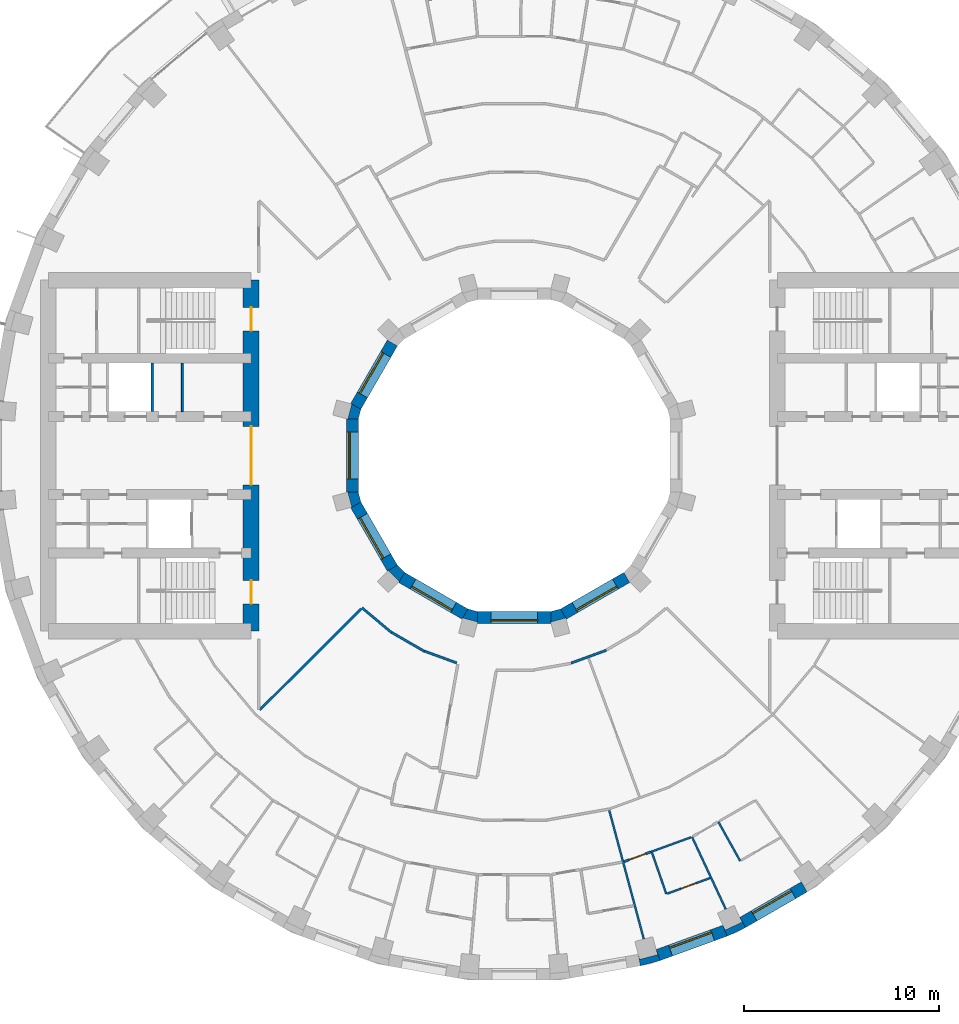
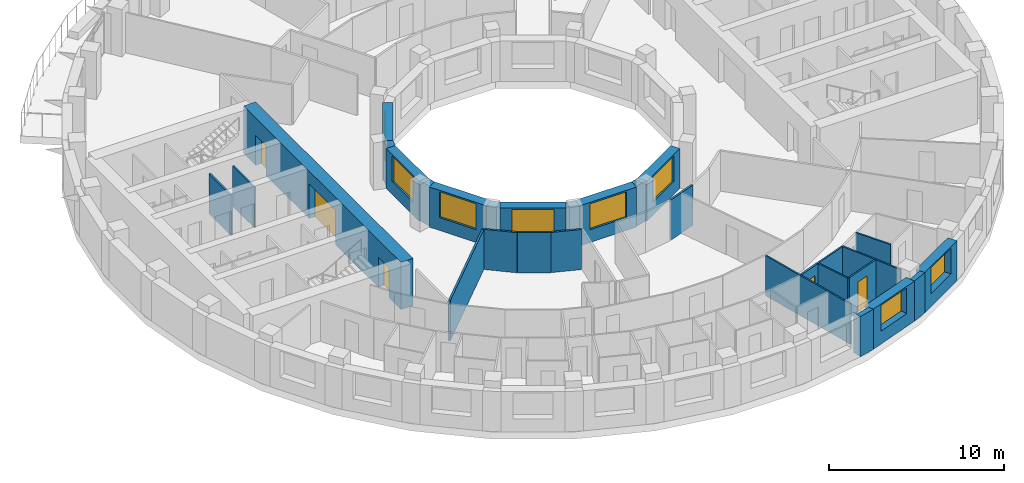
# One storey, part 7 of 14: 30 walls, 8 windows, 5 doors, 13 openings.
"""IFC4 building model written with IfcOpenShell, lengths in metres."""

import ifcopenshell
import ifcopenshell.guid

model = None  # the IFC model being written
_history = None  # IfcOwnerHistory: only IFC2X3 demands one
_inside = {}  # id of a spatial element -> (the spatial element, [elements in it])
_under = {}  # id of a project, library or spatial element -> (it, [spatial elements below it])
_declared = {}  # id of a project -> (the project, [libraries it declares])
_typed = {}  # id of a type object -> (the type object, [elements of that type])
_made_of = {}  # id of a material, layer set ... -> (it, [elements and type objects made of it])


def new_model(schema):
    """Start an empty IFC model of exactly this schema.

    Asked for "IFC4X3", IfcOpenShell would pick the latest addendum, in which some entities
    have other attributes; the version numbers below select the first issue.
    IFC2X3 requires an IfcOwnerHistory on every rooted entity: one is made here for all.
    """
    global model, _history
    if schema == "IFC4X3":
        model = ifcopenshell.file(schema_version=(4, 3, 0, 0))
    else:
        model = ifcopenshell.file(schema=schema)
    _inside.clear()
    _under.clear()
    _declared.clear()
    _typed.clear()
    _made_of.clear()
    _history = None
    if model.schema == "IFC2X3":
        org = make("IfcOrganization", Name="unknown")
        user = make(
            "IfcPersonAndOrganization",
            ThePerson=make("IfcPerson", FamilyName="unknown"),
            TheOrganization=org,
        )
        app = make(
            "IfcApplication",
            ApplicationDeveloper=org,
            Version="unknown",
            ApplicationFullName="unknown",
            ApplicationIdentifier="unknown",
        )
        _history = make(
            "IfcOwnerHistory",
            OwningUser=user,
            OwningApplication=app,
            ChangeAction="ADDED",
            CreationDate=0,
        )
    return model


def make(cls, **values):
    """One entity of the class cls with the attributes given. An attribute that is None is left unset."""
    return model.create_entity(
        cls, **{name: value for name, value in values.items() if value is not None}
    )


def rooted(cls, **values):
    """An entity with a GlobalId (a new one), such as an element, a storey or a relation."""
    return make(cls, GlobalId=ifcopenshell.guid.new(), OwnerHistory=_history, **values)


def si_unit(unit_type, name, prefix=None):
    """IfcSIUnit, for example si_unit("LENGTHUNIT", "METRE", prefix="MILLI")."""
    return make("IfcSIUnit", UnitType=unit_type, Prefix=prefix, Name=name)


def assignment(units):
    """IfcUnitAssignment: the units of a project."""
    return None if units is None else make("IfcUnitAssignment", Units=units)


def point(xyz):
    """IfcCartesianPoint."""
    return None if xyz is None else make("IfcCartesianPoint", Coordinates=xyz)


def direction(xyz):
    """IfcDirection."""
    return None if xyz is None else make("IfcDirection", DirectionRatios=xyz)


def frame(location, z_axis=None, x_axis=None):
    """IfcAxis2Placement3D, a coordinate frame: its origin and axes. An axis left out is left unset."""
    return make(
        "IfcAxis2Placement3D",
        Location=point(location),
        Axis=direction(z_axis),
        RefDirection=direction(x_axis),
    )


def frame_2d(location, x_axis=None):
    """IfcAxis2Placement2D, a coordinate frame in the plane: its origin and x axis."""
    return make(
        "IfcAxis2Placement2D", Location=point(location), RefDirection=direction(x_axis)
    )


def origin():
    """The frame at (0, 0, 0) with its axes left unset."""
    return frame((0.0, 0.0, 0.0))


def place(relative_to, where):
    """IfcLocalPlacement: puts the frame where relative to a parent placement (None: the world)."""
    return make(
        "IfcLocalPlacement", PlacementRelTo=relative_to, RelativePlacement=where
    )


def context(
    kind, dimensions, precision=None, world=None, true_north=None, identifier=None
):
    """IfcGeometricRepresentationContext, for example the 3D "Model" context."""
    return make(
        "IfcGeometricRepresentationContext",
        ContextIdentifier=identifier,
        ContextType=kind,
        CoordinateSpaceDimension=dimensions,
        Precision=precision,
        WorldCoordinateSystem=world,
        TrueNorth=true_north,
    )


def subcontext(parent, identifier, kind, view, scale=None):
    """IfcGeometricRepresentationSubContext, for example "Body" below "Model"."""
    return make(
        "IfcGeometricRepresentationSubContext",
        ContextIdentifier=identifier,
        ContextType=kind,
        ParentContext=parent,
        TargetScale=scale,
        TargetView=view,
    )


def project(units=None, contexts=None):
    """IfcProject with its units and contexts."""
    return rooted(
        "IfcProject",
        Name="project",
        RepresentationContexts=contexts,
        UnitsInContext=assignment(units),
    )


def spatial(cls, under=None, at=None, **own):
    """A site, building, storey or space (cls), placed at a placement, below another one or the project."""
    s = rooted(cls, ObjectPlacement=at, **own)
    if under is not None:
        _under.setdefault(under.id(), (under, []))[1].append(s)
    return s


def polyline(points):
    """IfcPolyline through the points."""
    return make("IfcPolyline", Points=[point(p) for p in points])


def profile(cls, at=None, kind="AREA", **sizes):
    """A parametric profile (cls). Its sizes go by their IFC names, for example OverallWidth=200.0."""
    return make(cls, ProfileType=kind, Position=at, **sizes)


def rectangle(**sizes):
    """IfcRectangleProfileDef."""
    return profile("IfcRectangleProfileDef", **sizes)


def outline(outer, holes=None, kind="AREA"):
    """IfcArbitraryClosedProfileDef: a profile drawn as a closed curve; with holes, ...WithVoids."""
    if holes is None:
        return make("IfcArbitraryClosedProfileDef", ProfileType=kind, OuterCurve=outer)
    return make(
        "IfcArbitraryProfileDefWithVoids",
        ProfileType=kind,
        OuterCurve=outer,
        InnerCurves=holes,
    )


def extrude(swept, where, along, depth):
    """IfcExtrudedAreaSolid: the profile swept, set in the frame where, extruded along a direction by depth."""
    return make(
        "IfcExtrudedAreaSolid",
        SweptArea=swept,
        Position=where,
        ExtrudedDirection=direction(along),
        Depth=depth,
    )


def shape(context_of_items, identifier, shape_type, items):
    """IfcShapeRepresentation: the items that make up one representation, for example the "Body"."""
    return make(
        "IfcShapeRepresentation",
        ContextOfItems=context_of_items,
        RepresentationIdentifier=identifier,
        RepresentationType=shape_type,
        Items=items,
    )


def material(Name=None, Category=None):
    """IfcMaterial."""
    return make("IfcMaterial", Name=Name, Category=Category)


def layer(
    of_material, thickness, ventilated=None, Name=None, Category=None, Priority=None
):
    """IfcMaterialLayer: one layer of a wall or slab, of a material (None: an air gap)."""
    return make(
        "IfcMaterialLayer",
        Material=of_material,
        LayerThickness=thickness,
        IsVentilated=ventilated,
        Name=Name,
        Category=Category,
        Priority=Priority,
    )


def layer_set(layers, Name=None):
    """IfcMaterialLayerSet."""
    return make("IfcMaterialLayerSet", MaterialLayers=layers, LayerSetName=Name)


def made_of(thing, what):
    """Note that an element or type object is made of a material, layer set ...; save() writes the relation."""
    if what is not None:
        _made_of.setdefault(what.id(), (what, []))[1].append(thing)
    return thing


def type_object(cls, material=None, **own):
    """A type object (cls), such as IfcWallType, which elements share."""
    return made_of(rooted(cls, **own), material)


def element(
    cls,
    number,
    at=None,
    inside=None,
    cuts=None,
    type_object=None,
    material=None,
    context=None,
    identifier="Body",
    shape_type=None,
    held_by="IfcProductDefinitionShape",
    body=None,
    shapes=None,
    **own,
):
    """One element of the class cls, such as IfcWall. Its Tag is "e" and its number.

    at: its placement. inside: the storey or other place that contains it. cuts: it is an
    opening in that element (IfcRelVoidsElement). A single representation is given by context,
    identifier, shape_type and body (its items); several are given by shapes. held_by: the class
    of the entity that holds the representations. save() writes the other relations.
    """
    e = rooted(cls, Tag="e%d" % number, ObjectPlacement=at, **own)
    if body is not None:
        shapes = [shape(context, identifier, shape_type, body)]
    if shapes is not None:
        e.Representation = make(held_by, Representations=shapes)
    if inside is not None:
        _inside.setdefault(inside.id(), (inside, []))[1].append(e)
    if cuts is not None:
        rooted(
            "IfcRelVoidsElement", RelatingBuildingElement=cuts, RelatedOpeningElement=e
        )
    if type_object is not None:
        _typed.setdefault(type_object.id(), (type_object, []))[1].append(e)
    return made_of(e, material)


def fill(opening, filler):
    """IfcRelFillsElement: the door or window that sits in an opening."""
    return rooted(
        "IfcRelFillsElement",
        RelatingOpeningElement=opening,
        RelatedBuildingElement=filler,
    )


def aggregate(whole, parts):
    """IfcRelAggregates: a whole, such as a stair, and the parts it consists of."""
    return rooted("IfcRelAggregates", RelatingObject=whole, RelatedObjects=parts)


def save(model, path):
    """Write the relations noted so far, then the file.

    IfcRelAggregates (storeys below a building ...), IfcRelContainedInSpatialStructure (elements
    in a storey), IfcRelDefinesByType, IfcRelAssociatesMaterial and IfcRelDeclares: one each for
    every whole, place, type object, material and project.
    """
    for whole, parts in _under.values():
        aggregate(whole, parts)
    for where, things in _inside.values():
        rooted(
            "IfcRelContainedInSpatialStructure",
            RelatedElements=things,
            RelatingStructure=where,
        )
    for kind, things in _typed.values():
        rooted("IfcRelDefinesByType", RelatedObjects=things, RelatingType=kind)
    for what, things in _made_of.values():
        rooted("IfcRelAssociatesMaterial", RelatedObjects=things, RelatingMaterial=what)
    for by, libraries in _declared.values():
        rooted("IfcRelDeclares", RelatingContext=by, RelatedDefinitions=libraries)
    model.write(path)


model = new_model("IFC4")

# Units and contexts
model_context = context("Model", 3, precision=1e-05, world=origin(), true_north=direction((0.0, 1.0)))
body_context = subcontext(model_context, "Body", "Model", "MODEL_VIEW")
ifc_project = project(units=[si_unit("LENGTHUNIT", "METRE"), si_unit("AREAUNIT", "SQUARE_METRE"), si_unit("VOLUMEUNIT", "CUBIC_METRE"), si_unit("PLANEANGLEUNIT", "RADIAN"), si_unit("MASSUNIT", "GRAM", prefix="KILO")], contexts=[model_context])

# Site, building, storey
site_placement = place(None, origin())
site = spatial("IfcSite", under=ifc_project, at=site_placement, CompositionType="ELEMENT")
building_placement = place(site_placement, origin())
building = spatial("IfcBuilding", under=site, at=building_placement, Name="Saqina Gate Tower", CompositionType="ELEMENT")
storey_placement = place(building_placement, frame((0.0, 0.0, 98.5)))
storey = spatial("IfcBuildingStorey", under=building, at=storey_placement, Name="L27", CompositionType="ELEMENT", Elevation=98.5)

# Walls
ifc_material_1 = material(Name="Brick masonry (buff)", Category="masonry")
wall_type_1 = type_object("IfcWallType", Name="BRICK PIER COPING BUFF", PredefinedType="SOLIDWALL", material=ifc_material_1)
wall_1_placement = place(storey_placement, origin())
element("IfcWall", 1, at=wall_1_placement, inside=storey, type_object=wall_type_1, Name="Pier cap L27 column 29", PredefinedType="SOLIDWALL", context=body_context, shape_type="SweptSolid", body=[
    extrude(outline(polyline([(6.466796875, -26.171875), (7.485595703125, -25.89892578125), (7.2802734375, -25.335205078125), (7.349853515625, -25.5947265625), (6.43212890625, -25.8408203125), (6.36279296875, -25.5810546875), (6.466796875, -26.171875)])), origin(), (0.0, 0.0, 1.0), 2.800048828125),
])
wall_2_placement = place(storey_placement, origin())
element("IfcWall", 2, at=wall_2_placement, inside=storey, type_object=wall_type_1, Name="Pier cap L27 column 30", PredefinedType="SOLIDWALL", context=body_context, shape_type="SweptSolid", body=[
    extrude(outline(polyline([(10.913330078125, -24.6513671875), (11.869140625, -24.205810546875), (11.569091796875, -23.68603515625), (11.6826171875, -23.9296875), (10.82177734375, -24.331298828125), (10.7080078125, -24.08740234375), (10.913330078125, -24.6513671875)])), origin(), (0.0, 0.0, 1.0), 2.800048828125),
])
ifc_material_2 = material(Name="Gypsum board on steel studs", Category="steel")
ifc_layer_1 = layer(ifc_material_2, 0.10009765625)
ifc_layer_set_1 = layer_set([ifc_layer_1], Name="CORE PARTITION")
wall_type_2 = type_object("IfcWallType", Name="CORE PARTITION", PredefinedType="PARTITIONING", material=ifc_layer_set_1)
wall_3_placement = place(storey_placement, frame((-17.022216796875, 2.25, 0.0), z_axis=(0.0, 0.0, 1.0), x_axis=(0.0, 1.0, 0.0)))
element("IfcWall", 3, at=wall_3_placement, inside=storey, type_object=wall_type_2, Name="L27-CP-W01", PredefinedType="PARTITIONING", context=body_context, shape_type="SweptSolid", body=[
    extrude(rectangle(XDim=2.5, YDim=0.10009765625, at=frame_2d((1.25, 0.0))), origin(), (0.0, 0.0, 1.0), 2.800048828125),
])

# Wall, opening, window
ifc_material_3 = material(Name="Brick masonry (buff)", Category="masonry")
ifc_layer_2 = layer(ifc_material_3, 0.60009765625)
ifc_layer_set_2 = layer_set([ifc_layer_2], Name="FW-BRICK-BUFF")
wall_type_3 = type_object("IfcWallType", Name="FW-BRICK-BUFF", PredefinedType="SOLIDWALL", material=ifc_layer_set_2)
wall_4_placement = place(storey_placement, frame((7.3828125, -25.616943359375, 0.0), z_axis=(0.0, 0.0, 1.0), x_axis=(0.939703505393, 0.341990236633, 0.0)))
wall_4 = element("IfcWall", 4, at=wall_4_placement, inside=storey, type_object=wall_type_3, Name="Facade wall L27 facet 29", PredefinedType="SOLIDWALL", context=body_context, shape_type="SweptSolid", body=[
    extrude(rectangle(XDim=3.64794921875, YDim=0.60009765625, at=frame_2d((1.823974609375, 0.0))), origin(), (0.0, 0.0, 1.0), 2.800048828125),
])
opening_1_placement = place(wall_4_placement, frame((0.673828125, 0.0, 0.89990234375)))
opening_1 = element("IfcOpeningElement", 5, at=opening_1_placement, cuts=wall_4, Name="Opening G07-W18", PredefinedType="OPENING", context=body_context, shape_type="SweptSolid", body=[
    extrude(rectangle(XDim=2.300048828125, YDim=1.800048828125, at=frame_2d((1.14990234375, 0.89990234375))), frame((0.0, 0.31201171875, 0.0), z_axis=(0.0, -1.0, 0.0), x_axis=(1.0, 0.0, 0.0)), (0.0, 0.0, 1.0), 0.6240234375),
])
ifc_material_4 = material(Name="Aluminium glazing", Category="aluminium")
window_type_1 = type_object("IfcWindowType", Name="WN-B", PartitioningType="SINGLE_PANEL", PredefinedType="WINDOW", material=ifc_material_4)
window_1_placement = place(opening_1_placement, origin())
window_1 = element("IfcWindow", 6, at=window_1_placement, inside=storey, type_object=window_type_1, Name="Window L27 facet 29", OverallHeight=1.800048828125, OverallWidth=2.300048828125, PartitioningType="SINGLE_PANEL", PredefinedType="WINDOW", context=body_context, shape_type="SweptSolid", body=[
    extrude(rectangle(XDim=2.300048828125, YDim=1.800048828125, at=frame_2d((1.14990234375, 0.89990234375))), frame((0.0, 0.179931640625, 0.0), z_axis=(0.0, -1.0, 0.0), x_axis=(1.0, 0.0, 0.0)), (0.0, 0.0, 1.0), 0.06005859375),
])
fill(opening_1, window_1)

wall_5_placement = place(storey_placement, frame((11.718994140625, -23.94580078125, 0.0), z_axis=(0.0, 0.0, 1.0), x_axis=(0.866051847062, 0.499954196102, 0.0)))
wall_5 = element("IfcWall", 7, at=wall_5_placement, inside=storey, type_object=wall_type_3, Name="Facade wall L27 facet 30", PredefinedType="SOLIDWALL", context=body_context, shape_type="SweptSolid", body=[
    extrude(rectangle(XDim=3.647705078125, YDim=0.60009765625, at=frame_2d((1.82373046875, 0.0))), origin(), (0.0, 0.0, 1.0), 2.800048828125),
])
opening_2_placement = place(wall_5_placement, frame((0.673828125, 0.0, 0.89990234375)))
opening_2 = element("IfcOpeningElement", 8, at=opening_2_placement, cuts=wall_5, Name="Opening G07-W19", PredefinedType="OPENING", context=body_context, shape_type="SweptSolid", body=[
    extrude(rectangle(XDim=2.300048828125, YDim=1.800048828125, at=frame_2d((1.14990234375, 0.89990234375))), frame((0.0, 0.31201171875, 0.0), z_axis=(0.0, -1.0, 0.0), x_axis=(1.0, 0.0, 0.0)), (0.0, 0.0, 1.0), 0.6240234375),
])
window_2_placement = place(opening_2_placement, origin())
window_2 = element("IfcWindow", 9, at=window_2_placement, inside=storey, type_object=window_type_1, Name="Window L27 facet 30", OverallHeight=1.800048828125, OverallWidth=2.300048828125, PartitioningType="SINGLE_PANEL", PredefinedType="WINDOW", context=body_context, shape_type="SweptSolid", body=[
    extrude(rectangle(XDim=2.300048828125, YDim=1.800048828125, at=frame_2d((1.14990234375, 0.89990234375))), frame((0.0, 0.179931640625, 0.0), z_axis=(0.0, -1.0, 0.0), x_axis=(1.0, 0.0, 0.0)), (0.0, 0.0, 1.0), 0.06005859375),
])
fill(opening_2, window_2)

ifc_material_5 = material(Name="Glazed ceramic tile", Category="ceramic")
ifc_layer_3 = layer(ifc_material_5, 0.60009765625)
ifc_layer_set_3 = layer_set([ifc_layer_3], Name="IW-TILE")
wall_type_4 = type_object("IfcWallType", Name="IW-TILE", PredefinedType="SOLIDWALL", material=ifc_layer_set_3)
wall_6_placement = place(storey_placement, frame((-6.251220703125, 5.772705078125, 0.0), z_axis=(0.0, 0.0, 1.0), x_axis=(-0.499964958637, -0.86604563398, 0.0)))
wall_6 = element("IfcWall", 10, at=wall_6_placement, inside=storey, type_object=wall_type_4, Name="Well wall L27 facet 5", PredefinedType="SOLIDWALL", context=body_context, shape_type="SweptSolid", body=[
    extrude(rectangle(XDim=3.747314453125, YDim=0.60009765625, at=frame_2d((1.87353515625, 0.0))), origin(), (0.0, 0.0, 1.0), 2.800048828125),
])
opening_3_placement = place(wall_6_placement, frame((0.673583984375, 0.0, 0.89990234375)))
opening_3 = element("IfcOpeningElement", 11, at=opening_3_placement, cuts=wall_6, Name="Opening G07-W27", PredefinedType="OPENING", context=body_context, shape_type="SweptSolid", body=[
    extrude(rectangle(XDim=2.39990234375, YDim=1.800048828125, at=frame_2d((1.199951171875, 0.89990234375))), frame((0.0, 0.31201171875, 0.0), z_axis=(0.0, -1.0, 0.0), x_axis=(1.0, 0.0, 0.0)), (0.0, 0.0, 1.0), 0.6240234375),
])
ifc_material_6 = material(Name="Aluminium glazing", Category="aluminium")
window_type_2 = type_object("IfcWindowType", Name="WN-W", PartitioningType="SINGLE_PANEL", PredefinedType="WINDOW", material=ifc_material_6)
window_3_placement = place(opening_3_placement, origin())
window_3 = element("IfcWindow", 12, at=window_3_placement, inside=storey, type_object=window_type_2, Name="Well window L27 facet 5", OverallHeight=1.800048828125, OverallWidth=2.39990234375, PartitioningType="SINGLE_PANEL", PredefinedType="WINDOW", context=body_context, shape_type="SweptSolid", body=[
    extrude(rectangle(XDim=2.39990234375, YDim=1.800048828125, at=frame_2d((1.199951171875, 0.89990234375))), frame((0.0, -0.119873046875, 0.0), z_axis=(0.0, -1.0, 0.0), x_axis=(1.0, 0.0, 0.0)), (0.0, 0.0, 1.0), 0.06005859375),
])
fill(opening_3, window_3)

wall_7_placement = place(storey_placement, frame((-8.300048828125, 1.873779296875, 0.0), z_axis=(0.0, 0.0, 1.0), x_axis=(0.0, -1.0, 0.0)))
wall_7 = element("IfcWall", 13, at=wall_7_placement, inside=storey, type_object=wall_type_4, Name="Well wall L27 facet 6", PredefinedType="SOLIDWALL", context=body_context, shape_type="SweptSolid", body=[
    extrude(rectangle(XDim=3.74755859375, YDim=0.60009765625, at=frame_2d((1.873779296875, 0.0))), origin(), (0.0, 0.0, 1.0), 2.800048828125),
])
opening_4_placement = place(wall_7_placement, frame((0.673583984375, 0.0, 0.89990234375)))
opening_4 = element("IfcOpeningElement", 14, at=opening_4_placement, cuts=wall_7, Name="Opening G07-W28", PredefinedType="OPENING", context=body_context, shape_type="SweptSolid", body=[
    extrude(rectangle(XDim=2.39990234375, YDim=1.800048828125, at=frame_2d((1.199951171875, 0.89990234375))), frame((0.0, 0.31201171875, 0.0), z_axis=(0.0, -1.0, 0.0), x_axis=(1.0, 0.0, 0.0)), (0.0, 0.0, 1.0), 0.6240234375),
])
window_4_placement = place(opening_4_placement, origin())
window_4 = element("IfcWindow", 15, at=window_4_placement, inside=storey, type_object=window_type_2, Name="Well window L27 facet 6", OverallHeight=1.800048828125, OverallWidth=2.39990234375, PartitioningType="SINGLE_PANEL", PredefinedType="WINDOW", context=body_context, shape_type="SweptSolid", body=[
    extrude(rectangle(XDim=2.39990234375, YDim=1.800048828125, at=frame_2d((1.199951171875, 0.89990234375))), frame((0.0, -0.119873046875, 0.0), z_axis=(0.0, -1.0, 0.0), x_axis=(1.0, 0.0, 0.0)), (0.0, 0.0, 1.0), 0.06005859375),
])
fill(opening_4, window_4)

wall_8_placement = place(storey_placement, frame((-8.124755859375, -2.52734375, 0.0), z_axis=(0.0, 0.0, 1.0), x_axis=(0.499964958637, -0.86604563398, 0.0)))
wall_8 = element("IfcWall", 16, at=wall_8_placement, inside=storey, type_object=wall_type_4, Name="Well wall L27 facet 7", PredefinedType="SOLIDWALL", context=body_context, shape_type="SweptSolid", body=[
    extrude(rectangle(XDim=3.747314453125, YDim=0.60009765625, at=frame_2d((1.87353515625, 0.0))), origin(), (0.0, 0.0, 1.0), 2.800048828125),
])
opening_5_placement = place(wall_8_placement, frame((0.673583984375, 0.0, 0.89990234375)))
opening_5 = element("IfcOpeningElement", 17, at=opening_5_placement, cuts=wall_8, Name="Opening G07-W29", PredefinedType="OPENING", context=body_context, shape_type="SweptSolid", body=[
    extrude(rectangle(XDim=2.39990234375, YDim=1.800048828125, at=frame_2d((1.199951171875, 0.89990234375))), frame((0.0, 0.31201171875, 0.0), z_axis=(0.0, -1.0, 0.0), x_axis=(1.0, 0.0, 0.0)), (0.0, 0.0, 1.0), 0.6240234375),
])
window_5_placement = place(opening_5_placement, origin())
window_5 = element("IfcWindow", 18, at=window_5_placement, inside=storey, type_object=window_type_2, Name="Well window L27 facet 7", OverallHeight=1.800048828125, OverallWidth=2.39990234375, PartitioningType="SINGLE_PANEL", PredefinedType="WINDOW", context=body_context, shape_type="SweptSolid", body=[
    extrude(rectangle(XDim=2.39990234375, YDim=1.800048828125, at=frame_2d((1.199951171875, 0.89990234375))), frame((0.0, -0.119873046875, 0.0), z_axis=(0.0, -1.0, 0.0), x_axis=(1.0, 0.0, 0.0)), (0.0, 0.0, 1.0), 0.06005859375),
])
fill(opening_5, window_5)

wall_9_placement = place(storey_placement, frame((-5.772705078125, -6.251220703125, 0.0), z_axis=(0.0, 0.0, 1.0), x_axis=(0.86604563398, -0.499964958637, 0.0)))
wall_9 = element("IfcWall", 19, at=wall_9_placement, inside=storey, type_object=wall_type_4, Name="Well wall L27 facet 8", PredefinedType="SOLIDWALL", context=body_context, shape_type="SweptSolid", body=[
    extrude(rectangle(XDim=3.747314453125, YDim=0.60009765625, at=frame_2d((1.87353515625, 0.0))), origin(), (0.0, 0.0, 1.0), 2.800048828125),
])
opening_6_placement = place(wall_9_placement, frame((0.673583984375, 0.0, 0.89990234375)))
opening_6 = element("IfcOpeningElement", 20, at=opening_6_placement, cuts=wall_9, Name="Opening G07-W30", PredefinedType="OPENING", context=body_context, shape_type="SweptSolid", body=[
    extrude(rectangle(XDim=2.39990234375, YDim=1.800048828125, at=frame_2d((1.199951171875, 0.89990234375))), frame((0.0, 0.31201171875, 0.0), z_axis=(0.0, -1.0, 0.0), x_axis=(1.0, 0.0, 0.0)), (0.0, 0.0, 1.0), 0.6240234375),
])
window_6_placement = place(opening_6_placement, origin())
window_6 = element("IfcWindow", 21, at=window_6_placement, inside=storey, type_object=window_type_2, Name="Well window L27 facet 8", OverallHeight=1.800048828125, OverallWidth=2.39990234375, PartitioningType="SINGLE_PANEL", PredefinedType="WINDOW", context=body_context, shape_type="SweptSolid", body=[
    extrude(rectangle(XDim=2.39990234375, YDim=1.800048828125, at=frame_2d((1.199951171875, 0.89990234375))), frame((0.0, -0.119873046875, 0.0), z_axis=(0.0, -1.0, 0.0), x_axis=(1.0, 0.0, 0.0)), (0.0, 0.0, 1.0), 0.06005859375),
])
fill(opening_6, window_6)

wall_10_placement = place(storey_placement, frame((-1.873779296875, -8.300048828125, 0.0), z_axis=(0.0, 0.0, 1.0), x_axis=(1.0, 0.0, 0.0)))
wall_10 = element("IfcWall", 22, at=wall_10_placement, inside=storey, type_object=wall_type_4, Name="Well wall L27 facet 9", PredefinedType="SOLIDWALL", context=body_context, shape_type="SweptSolid", body=[
    extrude(rectangle(XDim=3.74755859375, YDim=0.60009765625, at=frame_2d((1.873779296875, 0.0))), origin(), (0.0, 0.0, 1.0), 2.800048828125),
])
opening_7_placement = place(wall_10_placement, frame((0.673583984375, 0.0, 0.89990234375)))
opening_7 = element("IfcOpeningElement", 23, at=opening_7_placement, cuts=wall_10, Name="Opening G07-W31", PredefinedType="OPENING", context=body_context, shape_type="SweptSolid", body=[
    extrude(rectangle(XDim=2.39990234375, YDim=1.800048828125, at=frame_2d((1.199951171875, 0.89990234375))), frame((0.0, 0.31201171875, 0.0), z_axis=(0.0, -1.0, 0.0), x_axis=(1.0, 0.0, 0.0)), (0.0, 0.0, 1.0), 0.6240234375),
])
window_7_placement = place(opening_7_placement, origin())
window_7 = element("IfcWindow", 24, at=window_7_placement, inside=storey, type_object=window_type_2, Name="Well window L27 facet 9", OverallHeight=1.800048828125, OverallWidth=2.39990234375, PartitioningType="SINGLE_PANEL", PredefinedType="WINDOW", context=body_context, shape_type="SweptSolid", body=[
    extrude(rectangle(XDim=2.39990234375, YDim=1.800048828125, at=frame_2d((1.199951171875, 0.89990234375))), frame((0.0, -0.119873046875, 0.0), z_axis=(0.0, -1.0, 0.0), x_axis=(1.0, 0.0, 0.0)), (0.0, 0.0, 1.0), 0.06005859375),
])
fill(opening_7, window_7)

wall_11_placement = place(storey_placement, frame((2.52734375, -8.124755859375, 0.0), z_axis=(0.0, 0.0, 1.0), x_axis=(0.86604563398, 0.499964958637, 0.0)))
wall_11 = element("IfcWall", 25, at=wall_11_placement, inside=storey, type_object=wall_type_4, Name="Well wall L27 facet 10", PredefinedType="SOLIDWALL", context=body_context, shape_type="SweptSolid", body=[
    extrude(rectangle(XDim=3.747314453125, YDim=0.60009765625, at=frame_2d((1.87353515625, 0.0))), origin(), (0.0, 0.0, 1.0), 2.800048828125),
])
opening_8_placement = place(wall_11_placement, frame((0.673583984375, 0.0, 0.89990234375)))
opening_8 = element("IfcOpeningElement", 26, at=opening_8_placement, cuts=wall_11, Name="Opening G07-W32", PredefinedType="OPENING", context=body_context, shape_type="SweptSolid", body=[
    extrude(rectangle(XDim=2.39990234375, YDim=1.800048828125, at=frame_2d((1.199951171875, 0.89990234375))), frame((0.0, 0.31201171875, 0.0), z_axis=(0.0, -1.0, 0.0), x_axis=(1.0, 0.0, 0.0)), (0.0, 0.0, 1.0), 0.6240234375),
])
window_8_placement = place(opening_8_placement, origin())
window_8 = element("IfcWindow", 27, at=window_8_placement, inside=storey, type_object=window_type_2, Name="Well window L27 facet 10", OverallHeight=1.800048828125, OverallWidth=2.39990234375, PartitioningType="SINGLE_PANEL", PredefinedType="WINDOW", context=body_context, shape_type="SweptSolid", body=[
    extrude(rectangle(XDim=2.39990234375, YDim=1.800048828125, at=frame_2d((1.199951171875, 0.89990234375))), frame((0.0, -0.119873046875, 0.0), z_axis=(0.0, -1.0, 0.0), x_axis=(1.0, 0.0, 0.0)), (0.0, 0.0, 1.0), 0.06005859375),
])
fill(opening_8, window_8)

# Walls
ifc_material_7 = material(Name="Gypsum board on steel studs, 100 mm", Category="steel")
ifc_layer_4 = layer(ifc_material_7, 0.10009765625)
ifc_layer_set_4 = layer_set([ifc_layer_4], Name="PARTITION 100")
wall_type_5 = type_object("IfcWallType", Name="PARTITION 100", PredefinedType="PARTITIONING", material=ifc_layer_set_4)
wall_12_placement = place(storey_placement, frame((4.869873046875, -18.179443359375, 0.0), z_axis=(0.0, 0.0, 1.0), x_axis=(0.259209722025, -0.965821060035, 0.0)))
element("IfcWall", 28, at=wall_12_placement, inside=storey, type_object=wall_type_5, Name="PARTITION PW3-05", PredefinedType="PARTITIONING", context=body_context, shape_type="SweptSolid", body=[
    extrude(rectangle(XDim=6.844482421875, YDim=0.10009765625, at=frame_2d((3.42236328125, 0.0))), origin(), (0.0, 0.0, 1.0), 2.800048828125),
])
wall_13_placement = place(storey_placement, frame((7.064453125, -20.359130859375, 0.0), z_axis=(0.0, 0.0, 1.0), x_axis=(0.327758868129, -0.944761411343, 0.0)))
element("IfcWall", 29, at=wall_13_placement, inside=storey, type_object=wall_type_5, Name="PARTITION PW3-06", PredefinedType="PARTITIONING", context=body_context, shape_type="SweptSolid", body=[
    extrude(rectangle(XDim=2.250244140625, YDim=0.10009765625, at=frame_2d((1.125, 0.0))), origin(), (0.0, 0.0, 1.0), 2.800048828125),
])
wall_14_placement = place(storey_placement, frame((9.1201171875, -19.55810546875, 0.0), z_axis=(0.0, 0.0, 1.0), x_axis=(0.422882193637, -0.906184666778, 0.0)))
element("IfcWall", 30, at=wall_14_placement, inside=storey, type_object=wall_type_5, Name="PARTITION PW3-08", PredefinedType="PARTITIONING", context=body_context, shape_type="SweptSolid", body=[
    extrude(rectangle(XDim=4.085205078125, YDim=0.10009765625, at=frame_2d((2.04248046875, 0.0))), origin(), (0.0, 0.0, 1.0), 2.800048828125),
])
wall_15_placement = place(storey_placement, frame((10.468017578125, -18.779052734375, 0.0), z_axis=(0.0, 0.0, 1.0), x_axis=(0.486886136125, -0.873465448915, 0.0)))
element("IfcWall", 31, at=wall_15_placement, inside=storey, type_object=wall_type_5, Name="PARTITION PW3-09", PredefinedType="PARTITIONING", context=body_context, shape_type="SweptSolid", body=[
    extrude(rectangle(XDim=2.300048828125, YDim=0.10009765625, at=frame_2d((1.14990234375, 0.0))), origin(), (0.0, 0.0, 1.0), 2.800048828125),
])

# Wall, opening, door
wall_16_placement = place(storey_placement, frame((7.848876953125, -22.468017578125, 0.0), z_axis=(0.0, 0.0, 1.0), x_axis=(0.939662448837, 0.342103028699, 0.0)))
wall_16 = element("IfcWall", 32, at=wall_16_placement, inside=storey, type_object=wall_type_5, Name="PARTITION PW3-65", PredefinedType="PARTITIONING", context=body_context, shape_type="SweptSolid", body=[
    extrude(rectangle(XDim=2.341552734375, YDim=0.10009765625, at=frame_2d((1.1708984375, 0.0))), origin(), (0.0, 0.0, 1.0), 2.800048828125),
])
opening_9_placement = place(wall_16_placement, frame((0.7705078125, 0.0, 0.0)))
opening_9 = element("IfcOpeningElement", 33, at=opening_9_placement, cuts=wall_16, Name="Opening G07-D45", PredefinedType="OPENING", context=body_context, shape_type="SweptSolid", body=[
    extrude(rectangle(XDim=0.800048828125, YDim=2.10009765625, at=frame_2d((0.39990234375, 1.050048828125))), frame((0.0, 0.06201171875, 0.0), z_axis=(0.0, -1.0, 0.0), x_axis=(1.0, 0.0, 0.0)), (0.0, 0.0, 1.0), 0.1240234375),
])
ifc_material_8 = material(Name="Timber door leaf, 800 mm", Category="wood")
door_type_1 = type_object("IfcDoorType", Name="DOOR 800 TIMBER", OperationType="SINGLE_SWING_LEFT", PredefinedType="DOOR", material=ifc_material_8)
door_1_placement = place(opening_9_placement, frame((0.800048828125, 0.0, 0.0), z_axis=(0.0, 0.0, 1.0), x_axis=(-1.0, 0.0, 0.0)))
door_1 = element("IfcDoor", 34, at=door_1_placement, inside=storey, type_object=door_type_1, Name="DOOR G07-D45", OperationType="SINGLE_SWING_RIGHT", OverallHeight=2.10009765625, OverallWidth=0.800048828125, PredefinedType="DOOR", context=body_context, shape_type="SweptSolid", body=[
    extrude(rectangle(XDim=0.800048828125, YDim=2.10009765625, at=frame_2d((0.39990234375, 1.050048828125))), frame((0.0, 0.02490234375, 0.0), z_axis=(0.0, -1.0, 0.0), x_axis=(1.0, 0.0, 0.0)), (0.0, 0.0, 1.0), 0.050048828125),
])
fill(opening_9, door_1)

# Walls
wall_17_placement = place(storey_placement, frame((7.0009765625, -20.3291015625, 0.0), z_axis=(0.0, 0.0, 1.0), x_axis=(0.939728749343, 0.341920864613, 0.0)))
element("IfcWall", 35, at=wall_17_placement, inside=storey, type_object=wall_type_5, Name="PARTITION PW3-66", PredefinedType="PARTITIONING", context=body_context, shape_type="SweptSolid", body=[
    extrude(rectangle(XDim=2.204833984375, YDim=0.10009765625, at=frame_2d((1.1025390625, 0.0))), origin(), (0.0, 0.0, 1.0), 2.800048828125),
])
ifc_material_9 = material(Name="Gypsum board on steel studs, 125 mm, fire rated", Category="steel")
ifc_layer_5 = layer(ifc_material_9, 0.125)
ifc_layer_set_5 = layer_set([ifc_layer_5], Name="PARTITION EI 30 125")
wall_type_6 = type_object("IfcWallType", Name="PARTITION EI 30 125", PredefinedType="PARTITIONING", material=ifc_layer_set_5)
wall_18_placement = place(storey_placement, frame((-7.806884765625, -7.805908203125, 0.0), z_axis=(0.0, 0.0, 1.0), x_axis=(0.766164240715, -0.642644813446, 0.0)))
element("IfcWall", 36, at=wall_18_placement, inside=storey, type_object=wall_type_6, Name="PARTITION PW1-12", PredefinedType="PARTITIONING", context=body_context, shape_type="SweptSolid", body=[
    extrude(rectangle(XDim=1.98828125, YDim=0.125, at=frame_2d((0.994140625, 0.0))), origin(), (0.0, 0.0, 1.0), 2.800048828125),
])
wall_19_placement = place(storey_placement, frame((-6.27783203125, -9.07421875, 0.0), z_axis=(0.0, 0.0, 1.0), x_axis=(0.865970077019, -0.500095816526, 0.0)))
element("IfcWall", 37, at=wall_19_placement, inside=storey, type_object=wall_type_6, Name="PARTITION PW1-16", PredefinedType="PARTITIONING", context=body_context, shape_type="SweptSolid", body=[
    extrude(rectangle(XDim=1.92431640625, YDim=0.125, at=frame_2d((0.962158203125, 0.0))), origin(), (0.0, 0.0, 1.0), 2.800048828125),
])
wall_20_placement = place(storey_placement, frame((-4.608154296875, -10.0283203125, 0.0), z_axis=(0.0, 0.0, 1.0), x_axis=(0.939587139824, -0.342309810958, 0.0)))
element("IfcWall", 38, at=wall_20_placement, inside=storey, type_object=wall_type_6, Name="PARTITION PW1-20", PredefinedType="PARTITIONING", context=body_context, shape_type="SweptSolid", body=[
    extrude(rectangle(XDim=1.763671875, YDim=0.125, at=frame_2d((0.8818359375, 0.0))), origin(), (0.0, 0.0, 1.0), 2.800048828125),
])

# Wall, opening, door
wall_21_placement = place(storey_placement, frame((5.632080078125, -20.826904296875, 0.0), z_axis=(0.0, 0.0, 1.0), x_axis=(0.939788529673, 0.341756520778, 0.0)))
wall_21 = element("IfcWall", 39, at=wall_21_placement, inside=storey, type_object=wall_type_6, Name="PARTITION PW1-35", PredefinedType="PARTITIONING", context=body_context, shape_type="SweptSolid", body=[
    extrude(rectangle(XDim=1.45654296875, YDim=0.125, at=frame_2d((0.728271484375, 0.0))), origin(), (0.0, 0.0, 1.0), 2.800048828125),
])
opening_10_placement = place(wall_21_placement, frame((0.27880859375, 0.0, 0.0)))
opening_10 = element("IfcOpeningElement", 40, at=opening_10_placement, cuts=wall_21, Name="Opening G07-D43", PredefinedType="OPENING", context=body_context, shape_type="SweptSolid", body=[
    extrude(rectangle(XDim=0.89990234375, YDim=2.10009765625, at=frame_2d((0.449951171875, 1.050048828125))), frame((0.0, 0.074462890625, 0.0), z_axis=(0.0, -1.0, 0.0), x_axis=(1.0, 0.0, 0.0)), (0.0, 0.0, 1.0), 0.14892578125),
])
ifc_material_10 = material(Name="Fire door leaf EI 30, 900 mm")
door_type_2 = type_object("IfcDoorType", Name="DOOR 900 EI 30", OperationType="SINGLE_SWING_LEFT", PredefinedType="DOOR", material=ifc_material_10)
door_2_placement = place(opening_10_placement, origin())
door_2 = element("IfcDoor", 41, at=door_2_placement, inside=storey, type_object=door_type_2, Name="DOOR G07-D43", OperationType="SINGLE_SWING_LEFT", OverallHeight=2.10009765625, OverallWidth=0.89990234375, PredefinedType="DOOR", context=body_context, shape_type="SweptSolid", body=[
    extrude(rectangle(XDim=0.89990234375, YDim=2.10009765625, at=frame_2d((0.449951171875, 1.050048828125))), frame((0.0, 0.02490234375, 0.0), z_axis=(0.0, -1.0, 0.0), x_axis=(1.0, 0.0, 0.0)), (0.0, 0.0, 1.0), 0.050048828125),
])
fill(opening_10, door_2)

# Walls
wall_22_placement = place(storey_placement, frame((2.915771484375, -10.642578125, 0.0), z_axis=(0.0, 0.0, 1.0), x_axis=(0.939615658103, 0.342231522579, 0.0)))
element("IfcWall", 42, at=wall_22_placement, inside=storey, type_object=wall_type_6, Name="PARTITION PW1-36", PredefinedType="PARTITIONING", context=body_context, shape_type="SweptSolid", body=[
    extrude(rectangle(XDim=1.926025390625, YDim=0.125, at=frame_2d((0.962890625, 0.0))), origin(), (0.0, 0.0, 1.0), 2.800048828125),
])
wall_23_placement = place(storey_placement, frame((-13.056640625, -13.048828125, 0.0), z_axis=(0.0, 0.0, 1.0), x_axis=(0.708367099834, 0.705844212183, 0.0)))
element("IfcWall", 43, at=wall_23_placement, inside=storey, type_object=wall_type_6, Name="PARTITION PW1-43", PredefinedType="PARTITIONING", context=body_context, shape_type="SweptSolid", body=[
    extrude(rectangle(XDim=7.3544921875, YDim=0.125, at=frame_2d((3.67724609375, 0.0))), origin(), (0.0, 0.0, 1.0), 2.800048828125),
])
ifc_material_11 = material(Name="Autoclaved aerated concrete block", Category="concrete")
ifc_layer_6 = layer(ifc_material_11, 0.1201171875)
ifc_layer_set_6 = layer_set([ifc_layer_6], Name="SHAFT PARTITION")
wall_type_7 = type_object("IfcWallType", Name="SHAFT PARTITION", PredefinedType="PARTITIONING", material=ifc_layer_set_6)
wall_24_placement = place(storey_placement, frame((-18.56005859375, 2.25, 0.0), z_axis=(0.0, 0.0, 1.0), x_axis=(0.0, 1.0, 0.0)))
element("IfcWall", 44, at=wall_24_placement, inside=storey, type_object=wall_type_7, Name="L27-CP-W02", PredefinedType="PARTITIONING", context=body_context, shape_type="SweptSolid", body=[
    extrude(rectangle(XDim=2.5, YDim=0.1201171875, at=frame_2d((1.25, 0.0))), origin(), (0.0, 0.0, 1.0), 2.800048828125),
])

# Wall, openings, doors
ifc_material_12 = material(Name="Concrete C70/85", Category="concrete")
ifc_layer_7 = layer(ifc_material_12, 0.800048828125)
ifc_layer_set_7 = layer_set([ifc_layer_7], Name="Concrete C70/85")
wall_type_8 = type_object("IfcWallType", Name="STR-CORE WALL-B-O", PredefinedType="SHEAR", material=ifc_layer_set_7)
wall_25_placement = place(storey_placement, frame((-13.5, -9.0, 0.0), z_axis=(0.0, 0.0, 1.0), x_axis=(0.0, 1.0, 0.0)))
wall_25 = element("IfcWall", 45, at=wall_25_placement, inside=storey, type_object=wall_type_8, Name="CORE WALL L27 W-W1", PredefinedType="SHEAR", context=body_context, shape_type="SweptSolid", body=[
    extrude(rectangle(XDim=18.0, YDim=0.800048828125, at=frame_2d((9.0, 0.0))), origin(), (0.0, 0.0, 1.0), 3.300048828125),
])
opening_11_placement = place(wall_25_placement, frame((15.39990234375, 0.0, 0.0)))
opening_11 = element("IfcOpeningElement", 46, at=opening_11_placement, cuts=wall_25, Name="Opening G07-D123", PredefinedType="OPENING", context=body_context, shape_type="SweptSolid", body=[
    extrude(rectangle(XDim=1.199951171875, YDim=2.10009765625, at=frame_2d((0.60009765625, 1.050048828125))), frame((0.0, 0.412109375, 0.0), z_axis=(0.0, -1.0, 0.0), x_axis=(1.0, 0.0, 0.0)), (0.0, 0.0, 1.0), 0.823974609375),
])
opening_12_placement = place(wall_25_placement, frame((1.39990234375, 0.0, 0.0)))
opening_12 = element("IfcOpeningElement", 47, at=opening_12_placement, cuts=wall_25, Name="Opening G07-D124", PredefinedType="OPENING", context=body_context, shape_type="SweptSolid", body=[
    extrude(rectangle(XDim=1.199951171875, YDim=2.10009765625, at=frame_2d((0.60009765625, 1.050048828125))), frame((0.0, 0.412109375, 0.0), z_axis=(0.0, -1.0, 0.0), x_axis=(1.0, 0.0, 0.0)), (0.0, 0.0, 1.0), 0.823974609375),
])
opening_13_placement = place(wall_25_placement, frame((7.5, 0.0, 0.0)))
opening_13 = element("IfcOpeningElement", 48, at=opening_13_placement, cuts=wall_25, Name="Opening G07-D125", PredefinedType="OPENING", context=body_context, shape_type="SweptSolid", body=[
    extrude(rectangle(XDim=3.0, YDim=2.39990234375, at=frame_2d((1.5, 1.199951171875))), frame((0.0, 0.412109375, 0.0), z_axis=(0.0, -1.0, 0.0), x_axis=(1.0, 0.0, 0.0)), (0.0, 0.0, 1.0), 0.823974609375),
])
ifc_material_13 = material(Name="Steel", Category="steel")
door_type_3 = type_object("IfcDoorType", Name="FIRE DOOR EI 60", OperationType="SINGLE_SWING_LEFT", PredefinedType="DOOR", material=ifc_material_13)
door_3_placement = place(opening_11_placement, origin())
door_3 = element("IfcDoor", 49, at=door_3_placement, inside=storey, type_object=door_type_3, Name="L27-CD-W34", OperationType="SINGLE_SWING_RIGHT", OverallHeight=2.10009765625, OverallWidth=1.199951171875, PredefinedType="DOOR", context=body_context, shape_type="SweptSolid", body=[
    extrude(rectangle(XDim=1.199951171875, YDim=2.10009765625, at=frame_2d((0.60009765625, 1.050048828125))), frame((0.0, 0.02490234375, 0.0), z_axis=(0.0, -1.0, 0.0), x_axis=(1.0, 0.0, 0.0)), (0.0, 0.0, 1.0), 0.050048828125),
])
fill(opening_11, door_3)
door_4_placement = place(opening_12_placement, origin())
door_4 = element("IfcDoor", 50, at=door_4_placement, inside=storey, type_object=door_type_3, Name="L27-CD-W35", OperationType="SINGLE_SWING_LEFT", OverallHeight=2.10009765625, OverallWidth=1.199951171875, PredefinedType="DOOR", context=body_context, shape_type="SweptSolid", body=[
    extrude(rectangle(XDim=1.199951171875, YDim=2.10009765625, at=frame_2d((0.60009765625, 1.050048828125))), frame((0.0, 0.02490234375, 0.0), z_axis=(0.0, -1.0, 0.0), x_axis=(1.0, 0.0, 0.0)), (0.0, 0.0, 1.0), 0.050048828125),
])
fill(opening_12, door_4)
ifc_material_14 = material(Name="Steel and fire-resisting glass", Category="steel")
door_type_4 = type_object("IfcDoorType", Name="LOBBY SCREEN DOOR", OperationType="DOUBLE_DOOR_SLIDING", PredefinedType="DOOR", material=ifc_material_14)
door_5_placement = place(opening_13_placement, origin())
door_5 = element("IfcDoor", 51, at=door_5_placement, inside=storey, type_object=door_type_4, Name="L27-CD-W36", OperationType="DOUBLE_DOOR_SLIDING", OverallHeight=2.39990234375, OverallWidth=3.0, PredefinedType="DOOR", context=body_context, shape_type="SweptSolid", body=[
    extrude(rectangle(XDim=3.0, YDim=2.39990234375, at=frame_2d((1.5, 1.199951171875))), frame((0.0, 0.02490234375, 0.0), z_axis=(0.0, -1.0, 0.0), x_axis=(1.0, 0.0, 0.0)), (0.0, 0.0, 1.0), 0.050048828125),
])
fill(opening_13, door_5)

# Walls
ifc_material_15 = material(Name="Glazed ceramic tile", Category="ceramic")
wall_type_9 = type_object("IfcWallType", Name="TILE PIER COPING", PredefinedType="SOLIDWALL", material=ifc_material_15)
wall_26_placement = place(storey_placement, origin())
element("IfcWall", 52, at=wall_26_placement, inside=storey, type_object=wall_type_9, Name="Well pier cap L27 column 6", PredefinedType="SOLIDWALL", context=body_context, shape_type="SweptSolid", body=[
    extrude(outline(polyline([(-8.5380859375, 1.873779296875), (-8.0, 1.873779296875), (-7.864990234375, 2.377197265625), (-8.3310546875, 2.646484375), (-8.5380859375, 1.873779296875)])), origin(), (0.0, 0.0, 1.0), 2.800048828125),
])
wall_27_placement = place(storey_placement, origin())
element("IfcWall", 53, at=wall_27_placement, inside=storey, type_object=wall_type_9, Name="Well pier cap L27 column 7", PredefinedType="SOLIDWALL", context=body_context, shape_type="SweptSolid", body=[
    extrude(outline(polyline([(-8.3310546875, -2.646484375), (-7.864990234375, -2.377197265625), (-8.0, -1.873779296875), (-8.5380859375, -1.873779296875), (-8.3310546875, -2.646484375)])), origin(), (0.0, 0.0, 1.0), 2.800048828125),
])
wall_28_placement = place(storey_placement, origin())
element("IfcWall", 54, at=wall_28_placement, inside=storey, type_object=wall_type_9, Name="Well pier cap L27 column 8", PredefinedType="SOLIDWALL", context=body_context, shape_type="SweptSolid", body=[
    extrude(outline(polyline([(-6.45751953125, -5.891845703125), (-5.891845703125, -6.45751953125), (-5.622802734375, -5.991455078125), (-5.991455078125, -5.622802734375), (-6.45751953125, -5.891845703125)])), origin(), (0.0, 0.0, 1.0), 2.800048828125),
])
wall_29_placement = place(storey_placement, origin())
element("IfcWall", 55, at=wall_29_placement, inside=storey, type_object=wall_type_9, Name="Well pier cap L27 column 9", PredefinedType="SOLIDWALL", context=body_context, shape_type="SweptSolid", body=[
    extrude(outline(polyline([(-1.873779296875, -8.5380859375), (-1.873779296875, -8.0), (-2.377197265625, -7.864990234375), (-2.646484375, -8.3310546875), (-1.873779296875, -8.5380859375)])), origin(), (0.0, 0.0, 1.0), 2.800048828125),
])
wall_30_placement = place(storey_placement, origin())
element("IfcWall", 56, at=wall_30_placement, inside=storey, type_object=wall_type_9, Name="Well pier cap L27 column 10", PredefinedType="SOLIDWALL", context=body_context, shape_type="SweptSolid", body=[
    extrude(outline(polyline([(2.646484375, -8.3310546875), (2.377197265625, -7.864990234375), (1.873779296875, -8.0), (1.873779296875, -8.5380859375), (2.646484375, -8.3310546875)])), origin(), (0.0, 0.0, 1.0), 2.800048828125),
])

save(model, "model.ifc")
